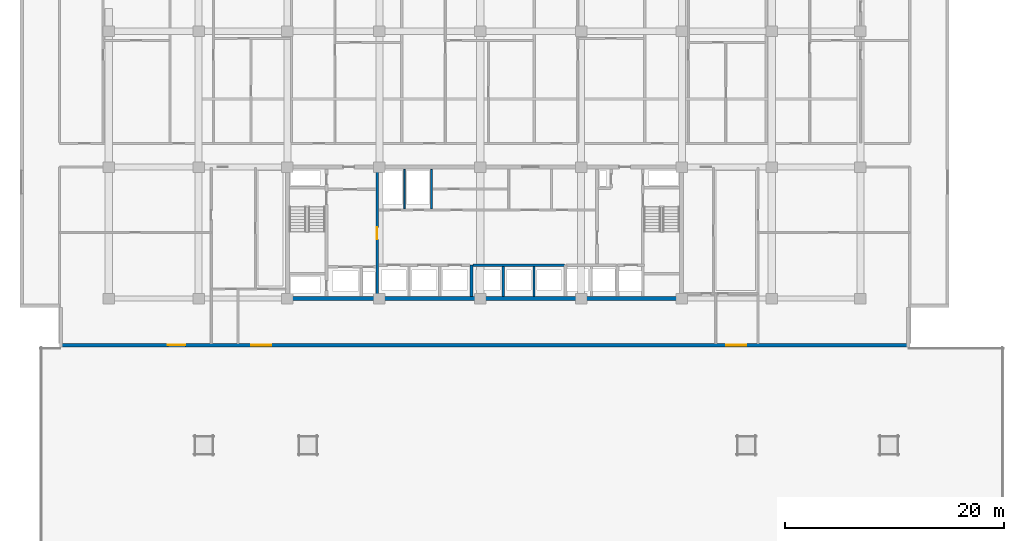
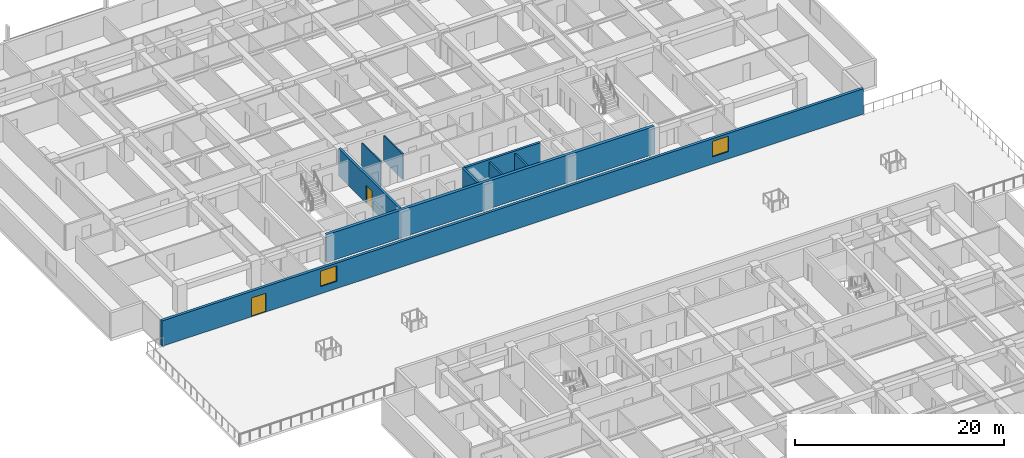
# One storey, part 11 of 24: 9 walls, 2 doors, 2 windows, 4 openings.
"""IFC4 building model written with IfcOpenShell, lengths in metres."""

from ifc_helpers import new_model, si_unit, direction, frame, frame_2d, origin, place, context, subcontext, project, spatial, rectangle, extrude, material, layer, layer_set, type_object, element, fill, save


model = new_model("IFC4")

# Units and contexts
model_context = context("Model", 3, precision=1e-05, world=origin(), true_north=direction((0.0, 1.0)))
body_context = subcontext(model_context, "Body", "Model", "MODEL_VIEW")
ifc_project = project(units=[si_unit("LENGTHUNIT", "METRE"), si_unit("AREAUNIT", "SQUARE_METRE"), si_unit("VOLUMEUNIT", "CUBIC_METRE"), si_unit("PLANEANGLEUNIT", "RADIAN"), si_unit("MASSUNIT", "GRAM", prefix="KILO")], contexts=[model_context])

# Site, building, storey
site_placement = place(None, origin())
site = spatial("IfcSite", under=ifc_project, at=site_placement, CompositionType="ELEMENT")
building_placement = place(site_placement, origin())
building = spatial("IfcBuilding", under=site, at=building_placement, Name="Korimba Cascade Residences", CompositionType="ELEMENT")
storey_placement = place(building_placement, frame((0.0, 0.0, 24.0)))
storey = spatial("IfcBuildingStorey", under=building, at=storey_placement, Name="L05", CompositionType="ELEMENT", Elevation=24.0)

# Wall, openings, door, windows
ifc_material_1 = material(Name="Precast concrete C40/50", Category="concrete")
ifc_layer_1 = layer(ifc_material_1, 0.300048828125)
ifc_layer_set_1 = layer_set([ifc_layer_1], Name="Precast concrete C40/50")
wall_type_1 = type_object("IfcWallType", Name="EW-STONE-300", PredefinedType="STANDARD", material=ifc_layer_set_1)
wall_1_placement = place(storey_placement, frame((55.300048828125, 50.949951171875, 0.0), z_axis=(0.0, 0.0, 1.0), x_axis=(1.0, 0.0, 0.0)))
wall_1 = element("IfcWall", 1, at=wall_1_placement, inside=storey, type_object=wall_type_1, Name="L05 T1 Perimeter Stone Wall E00", PredefinedType="STANDARD", context=body_context, shape_type="SweptSolid", body=[
    extrude(rectangle(XDim=77.599853515625, YDim=0.300048828125, at=frame_2d((38.7998046875, 0.0))), origin(), (0.0, 0.0, 1.0), 2.969970703125),
])
opening_1_placement = place(wall_1_placement, frame((17.52490234375, 0.0, 0.85009765625)))
opening_1 = element("IfcOpeningElement", 2, at=opening_1_placement, cuts=wall_1, Name="Opening W-02", PredefinedType="OPENING", context=body_context, shape_type="SweptSolid", body=[
    extrude(rectangle(XDim=1.800048828125, YDim=1.800048828125, at=frame_2d((0.89990234375, 0.89990234375))), frame((0.0, 0.16015625, 0.0), z_axis=(0.0, -1.0, 0.0), x_axis=(1.0, 0.0, 0.0)), (0.0, 0.0, 1.0), 0.320068359375),
])
opening_2_placement = place(wall_1_placement, frame((60.875, 0.0, 0.85009765625)))
opening_2 = element("IfcOpeningElement", 3, at=opening_2_placement, cuts=wall_1, Name="Opening W-02", PredefinedType="OPENING", context=body_context, shape_type="SweptSolid", body=[
    extrude(rectangle(XDim=1.800048828125, YDim=1.800048828125, at=frame_2d((0.89990234375, 0.89990234375))), frame((0.0, 0.16015625, 0.0), z_axis=(0.0, -1.0, 0.0), x_axis=(1.0, 0.0, 0.0)), (0.0, 0.0, 1.0), 0.320068359375),
])
opening_3_placement = place(wall_1_placement, frame((9.89990234375, 0.0, 0.0)))
opening_3 = element("IfcOpeningElement", 4, at=opening_3_placement, cuts=wall_1, Name="Opening D-TR1", PredefinedType="OPENING", context=body_context, shape_type="SweptSolid", body=[
    extrude(rectangle(XDim=1.60009765625, YDim=2.199951171875, at=frame_2d((0.800048828125, 1.10009765625))), frame((0.0, 0.16015625, 0.0), z_axis=(0.0, -1.0, 0.0), x_axis=(1.0, 0.0, 0.0)), (0.0, 0.0, 1.0), 0.320068359375),
])
ifc_material_2 = material(Name="Glazed Aluminium Terrace Door", Category="aluminium")
door_type_1 = type_object("IfcDoorType", Name="DR-EXT-TER", OperationType="NOTDEFINED", PredefinedType="DOOR", material=ifc_material_2)
door_1_placement = place(opening_3_placement, frame((1.60009765625, 0.0, 0.0), z_axis=(0.0, 0.0, 1.0), x_axis=(-1.0, 0.0, 0.0)))
door_1 = element("IfcDoor", 5, at=door_1_placement, inside=storey, type_object=door_type_1, Name="L05 Podium Canyon Roof Garden Access Door", OperationType="DOUBLE_DOOR_SINGLE_SWING", OverallHeight=2.199951171875, OverallWidth=1.60009765625, PredefinedType="DOOR", context=body_context, shape_type="SweptSolid", body=[
    extrude(rectangle(XDim=1.60009765625, YDim=2.199951171875, at=frame_2d((0.800048828125, 1.10009765625))), frame((0.0, 0.02490234375, 0.0), z_axis=(0.0, -1.0, 0.0), x_axis=(1.0, 0.0, 0.0)), (0.0, 0.0, 1.0), 0.050048828125),
])
fill(opening_3, door_1)
ifc_material_3 = material(Name="Double-Glazed Aluminium Window", Category="aluminium")
window_type = type_object("IfcWindowType", Name="WIN-BED-1800", PartitioningType="SINGLE_PANEL", PredefinedType="WINDOW", material=ifc_material_3)
window_1_placement = place(opening_1_placement, origin())
window_1 = element("IfcWindow", 6, at=window_1_placement, inside=storey, type_object=window_type, Name="L05 T1 South Corner Bedroom Window 1", OverallHeight=1.800048828125, OverallWidth=1.800048828125, PartitioningType="SINGLE_PANEL", PredefinedType="WINDOW", context=body_context, shape_type="SweptSolid", body=[
    extrude(rectangle(XDim=1.800048828125, YDim=1.800048828125, at=frame_2d((0.89990234375, 0.89990234375))), frame((0.0, 0.030029296875, 0.0), z_axis=(0.0, -1.0, 0.0), x_axis=(1.0, 0.0, 0.0)), (0.0, 0.0, 1.0), 0.06005859375),
])
fill(opening_1, window_1)
window_2_placement = place(opening_2_placement, origin())
window_2 = element("IfcWindow", 7, at=window_2_placement, inside=storey, type_object=window_type, Name="L05 T1 South Corner Bedroom Window 2", OverallHeight=1.800048828125, OverallWidth=1.800048828125, PartitioningType="SINGLE_PANEL", PredefinedType="WINDOW", context=body_context, shape_type="SweptSolid", body=[
    extrude(rectangle(XDim=1.800048828125, YDim=1.800048828125, at=frame_2d((0.89990234375, 0.89990234375))), frame((0.0, 0.030029296875, 0.0), z_axis=(0.0, -1.0, 0.0), x_axis=(1.0, 0.0, 0.0)), (0.0, 0.0, 1.0), 0.06005859375),
])
fill(opening_2, window_2)

# Walls
ifc_material_4 = material(Name="Concrete C65/80", Category="concrete")
ifc_layer_2 = layer(ifc_material_4, 0.35009765625)
ifc_layer_set_2 = layer_set([ifc_layer_2], Name="Concrete C65/80")
wall_type_2 = type_object("IfcWallType", Name="WAL-CORE-350", PredefinedType="SHEAR", material=ifc_layer_set_2)
wall_2_placement = place(storey_placement, frame((75.949951171875, 55.199951171875, 0.0), z_axis=(0.0, 0.0, 1.0), x_axis=(1.0, 0.0, 0.0)))
element("IfcWall", 8, at=wall_2_placement, inside=storey, type_object=wall_type_2, Name="L05 Core Shear Wall CW-L05-T1-S", PredefinedType="SHEAR", context=body_context, shape_type="SweptSolid", body=[
    extrude(rectangle(XDim=36.300048828125, YDim=0.35009765625, at=frame_2d((18.14990234375, 0.0))), origin(), (0.0, 0.0, 1.0), 3.25),
])
ifc_material_5 = material(Name="Insulated Acoustic Stud Partition", Category="gypsum")
ifc_layer_3 = layer(ifc_material_5, 0.14990234375)
ifc_layer_set_3 = layer_set([ifc_layer_3], Name="Insulated Acoustic Stud Partition")
wall_type_3 = type_object("IfcWallType", Name="WAL-PART-150", PredefinedType="PARTITIONING", material=ifc_layer_set_3)
for number, where, z_axis, x_axis, name in (
    (9, (86.800048828125, 63.39990234375, 0.0), (0.0, 0.0, 1.0), (0.0, 1.0, 0.0), "L05 Partition Wall CW-L05-T1-ERDIV"),
    (10, (89.25, 63.39990234375, 0.0), (0.0, 0.0, 1.0), (0.0, 1.0, 0.0), "L05 Partition Wall CW-L05-T1-PRDIV"),
):
    element("IfcWall", number, at=place(storey_placement, frame(where, z_axis=z_axis, x_axis=x_axis)), inside=storey, type_object=wall_type_3, Name=name, PredefinedType="PARTITIONING", context=body_context, shape_type="SweptSolid", body=[
        extrude(rectangle(XDim=3.60009765625, YDim=0.14990234375, at=frame_2d((1.800048828125, 0.0))), origin(), (0.0, 0.0, 1.0), 2.969970703125),
    ])
ifc_material_6 = material(Name="Concrete C40/50", Category="concrete")
ifc_layer_4 = layer(ifc_material_6, 0.199951171875)
ifc_layer_set_4 = layer_set([ifc_layer_4], Name="Concrete C40/50")
wall_type_4 = type_object("IfcWallType", Name="WAL-PART-200", PredefinedType="PARTITIONING", material=ifc_layer_set_4)
for number, where, z_axis, x_axis, name in (
    (11, (95.800048828125, 55.39990234375, 0.0), (0.0, 0.0, 1.0), (0.0, 1.0, 0.0), "L05 Partition Wall CW-L05-T1-B2D1"),
    (12, (98.60009765625, 55.39990234375, 0.0), (0.0, 0.0, 1.0), (0.0, 1.0, 0.0), "L05 Partition Wall CW-L05-T1-B2D2"),
):
    element("IfcWall", number, at=place(storey_placement, frame(where, z_axis=z_axis, x_axis=x_axis)), inside=storey, type_object=wall_type_4, Name=name, PredefinedType="PARTITIONING", context=body_context, shape_type="SweptSolid", body=[
        extrude(rectangle(XDim=2.72021484375, YDim=0.199951171875, at=frame_2d((1.360107421875, 0.0))), origin(), (0.0, 0.0, 1.0), 2.969970703125),
    ])

# Wall, opening, door
ifc_material_7 = material(Name="Concrete C50/60", Category="concrete")
ifc_layer_5 = layer(ifc_material_7, 0.25)
ifc_layer_set_5 = layer_set([ifc_layer_5], Name="Concrete C50/60")
wall_type_5 = type_object("IfcWallType", Name="WAL-SHAFT-250", PredefinedType="SHEAR", material=ifc_layer_set_5)
wall_3_placement = place(storey_placement, frame((84.300048828125, 55.39990234375, 0.0), z_axis=(0.0, 0.0, 1.0), x_axis=(0.0, 1.0, 0.0)))
wall_3 = element("IfcWall", 13, at=wall_3_placement, inside=storey, type_object=wall_type_5, Name="L05 Core Shear Wall CW-L05-T1-FFLE", PredefinedType="SHEAR", context=body_context, shape_type="SweptSolid", body=[
    extrude(rectangle(XDim=11.60009765625, YDim=0.25, at=frame_2d((5.800048828125, 0.0))), origin(), (0.0, 0.0, 1.0), 3.25),
])
opening_4_placement = place(wall_3_placement, frame((5.199951171875, 0.0, 0.0)))
opening_4 = element("IfcOpeningElement", 14, at=opening_4_placement, cuts=wall_3, Name="Opening D-FD1", PredefinedType="OPENING", context=body_context, shape_type="SweptSolid", body=[
    extrude(rectangle(XDim=1.10009765625, YDim=2.10009765625, at=frame_2d((0.550048828125, 1.050048828125))), frame((0.0, 0.135009765625, 0.0), z_axis=(0.0, -1.0, 0.0), x_axis=(1.0, 0.0, 0.0)), (0.0, 0.0, 1.0), 0.27001953125),
])
ifc_material_8 = material(Name="Fire-Rated Steel Core Door", Category="steel")
door_type_2 = type_object("IfcDoorType", Name="DR-FD120-1100", OperationType="NOTDEFINED", PredefinedType="DOOR", material=ifc_material_8)
door_2_placement = place(opening_4_placement, origin())
door_2 = element("IfcDoor", 15, at=door_2_placement, inside=storey, type_object=door_type_2, Name="L05 Firefighting Lobby to Lift Lobby Door", OperationType="SINGLE_SWING_LEFT", OverallHeight=2.10009765625, OverallWidth=1.10009765625, PredefinedType="DOOR", context=body_context, shape_type="SweptSolid", body=[
    extrude(rectangle(XDim=1.10009765625, YDim=2.10009765625, at=frame_2d((0.550048828125, 1.050048828125))), frame((0.0, 0.02490234375, 0.0), z_axis=(0.0, -1.0, 0.0), x_axis=(1.0, 0.0, 0.0)), (0.0, 0.0, 1.0), 0.050048828125),
])
fill(opening_4, door_2)

# Walls
wall_4_placement = place(storey_placement, frame((92.89990234375, 55.39990234375, 0.0), z_axis=(0.0, 0.0, 1.0), x_axis=(0.0, 1.0, 0.0)))
element("IfcWall", 16, at=wall_4_placement, inside=storey, type_object=wall_type_5, Name="L05 Core Shear Wall CW-L05-T1-B12DIV", PredefinedType="SHEAR", context=body_context, shape_type="SweptSolid", body=[
    extrude(rectangle(XDim=2.85009765625, YDim=0.25, at=frame_2d((1.425048828125, 0.0))), origin(), (0.0, 0.0, 1.0), 3.25),
])
wall_5_placement = place(storey_placement, frame((93.02001953125, 58.25, 0.0), z_axis=(0.0, 0.0, 1.0), x_axis=(1.0, 0.0, 0.0)))
element("IfcWall", 17, at=wall_5_placement, inside=storey, type_object=wall_type_5, Name="L05 Core Shear Wall CW-L05-T1-B2N", PredefinedType="SHEAR", context=body_context, shape_type="SweptSolid", body=[
    extrude(rectangle(XDim=8.35986328125, YDim=0.25, at=frame_2d((4.179931640625, 0.0))), origin(), (0.0, 0.0, 1.0), 3.25),
])

save(model, "model.ifc")
